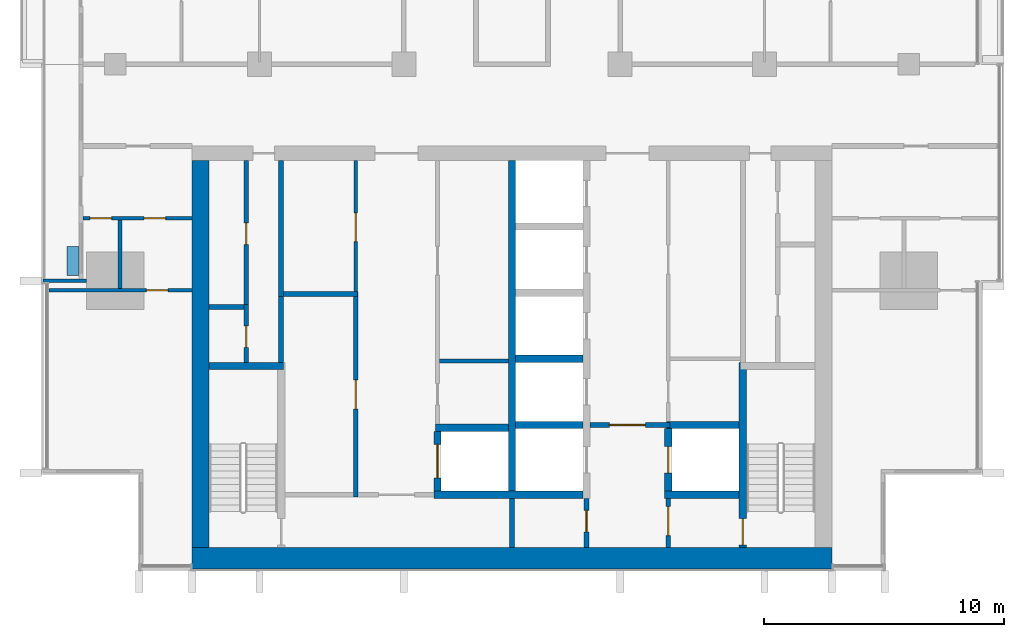
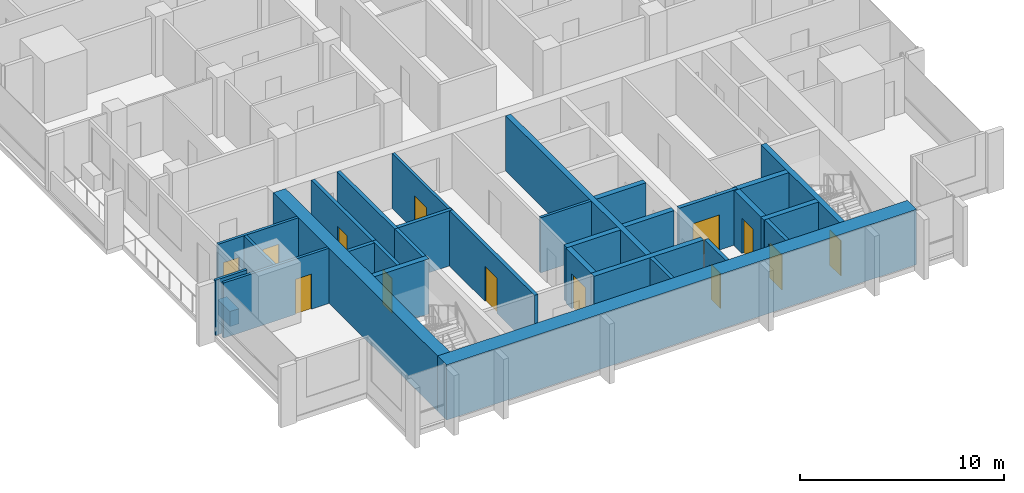
# One storey, part 7 of 17: 31 walls, 13 doors, 13 openings.
"""IFC4 building model written with IfcOpenShell, lengths in metres."""

from ifc_helpers import new_model, si_unit, direction, frame, frame_2d, origin, place, context, subcontext, project, spatial, rectangle, extrude, material, layer, layer_set, type_object, element, fill, save


model = new_model("IFC4")

# Units and contexts
model_context = context("Model", 3, precision=1e-05, world=origin(), true_north=direction((0.0, 1.0)))
body_context = subcontext(model_context, "Body", "Model", "MODEL_VIEW")
ifc_project = project(units=[si_unit("LENGTHUNIT", "METRE"), si_unit("AREAUNIT", "SQUARE_METRE"), si_unit("VOLUMEUNIT", "CUBIC_METRE"), si_unit("PLANEANGLEUNIT", "RADIAN"), si_unit("MASSUNIT", "GRAM", prefix="KILO")], contexts=[model_context])

# Site, building, storey
site_placement = place(None, origin())
site = spatial("IfcSite", under=ifc_project, at=site_placement, CompositionType="ELEMENT")
building_placement = place(site_placement, origin())
building = spatial("IfcBuilding", under=site, at=building_placement, Name="Finial Court Residences", CompositionType="ELEMENT")
storey_placement = place(building_placement, frame((0.0, 0.0, 174.5)))
storey = spatial("IfcBuildingStorey", under=building, at=storey_placement, Name="L43", CompositionType="ELEMENT", Elevation=174.5)

# Walls
ifc_material_1 = material(Name="Concrete C70/85", Category="concrete")
ifc_layer_1 = layer(ifc_material_1, 0.699951171875)
ifc_layer_set_1 = layer_set([ifc_layer_1], Name="Core outer wall 700 Concrete C70/85")
wall_type_1 = type_object("IfcWallType", Name="Core outer wall 700 Concrete C70/85", PredefinedType="SHEAR", material=ifc_layer_set_1)
wall_1_placement = place(storey_placement, frame((-12.949951171875, -24.60009765625, 0.0), z_axis=(0.0, 0.0, 1.0), x_axis=(0.0, 1.0, 0.0)))
element("IfcWall", 1, at=wall_1_placement, inside=storey, type_object=wall_type_1, Name="Core outer wall L43-03", PredefinedType="SHEAR", context=body_context, shape_type="SweptSolid", body=[
    extrude(rectangle(XDim=16.10009765625, YDim=0.699951171875, at=frame_2d((8.050048828125, 0.0))), origin(), (0.0, 0.0, 1.0), 3.300048828125),
])
ifc_material_2 = material(Name="Fire-rated gypsum board partition")
ifc_layer_2 = layer(ifc_material_2, 0.14990234375)
ifc_layer_set_2 = layer_set([ifc_layer_2], Name="Core room partition 150 EI 60")
wall_type_2 = type_object("IfcWallType", Name="Core room partition 150 EI 60", PredefinedType="PARTITIONING", material=ifc_layer_set_2)
wall_2_placement = place(storey_placement, frame((-3.02490234375, -16.840087890625, 0.0), z_axis=(0.0, 0.0, 1.0), x_axis=(1.0, 0.0, 0.0)))
element("IfcWall", 2, at=wall_2_placement, inside=storey, type_object=wall_type_2, Name="Core partition L43-11", PredefinedType="PARTITIONING", context=body_context, shape_type="SweptSolid", body=[
    extrude(rectangle(XDim=2.875, YDim=0.14990234375, at=frame_2d((1.4375, 0.0))), origin(), (0.0, 0.0, 1.0), 3.300048828125),
])

# Wall, opening, door
wall_3_placement = place(storey_placement, frame((-6.5, -13.9599609375, 0.0), z_axis=(0.0, 0.0, 1.0), x_axis=(0.0, 1.0, 0.0)))
wall_3 = element("IfcWall", 3, at=wall_3_placement, inside=storey, type_object=wall_type_2, Name="Core partition L43-25", PredefinedType="PARTITIONING", context=body_context, shape_type="SweptSolid", body=[
    extrude(rectangle(XDim=5.4599609375, YDim=0.14990234375, at=frame_2d((2.72998046875, 0.0))), origin(), (0.0, 0.0, 1.0), 3.300048828125),
])
opening_1_placement = place(wall_3_placement, frame((2.080078125, 0.0, 0.0)))
opening_1 = element("IfcOpeningElement", 4, at=opening_1_placement, cuts=wall_3, Name="Opening L43-C14", PredefinedType="OPENING", context=body_context, shape_type="SweptSolid", body=[
    extrude(rectangle(XDim=1.199951171875, YDim=2.10009765625, at=frame_2d((0.60009765625, 1.050048828125))), frame((0.0, 0.0849609375, 0.0), z_axis=(0.0, -1.0, 0.0), x_axis=(1.0, 0.0, 0.0)), (0.0, 0.0, 1.0), 0.169921875),
])
ifc_material_3 = material(Name="Steel fire door", Category="steel")
door_type_1 = type_object("IfcDoorType", Name="Core room door 1200 x 2100 EI 60", OperationType="NOTDEFINED", PredefinedType="DOOR", material=ifc_material_3)
door_1_placement = place(opening_1_placement, origin())
door_1 = element("IfcDoor", 5, at=door_1_placement, inside=storey, type_object=door_type_1, Name="Core room door L43-C14", OperationType="SINGLE_SWING_RIGHT", OverallHeight=2.10009765625, OverallWidth=1.199951171875, PredefinedType="DOOR", context=body_context, shape_type="SweptSolid", body=[
    extrude(rectangle(XDim=1.199951171875, YDim=2.10009765625, at=frame_2d((0.60009765625, 1.050048828125))), frame((0.0, 0.02490234375, 0.0), z_axis=(0.0, -1.0, 0.0), x_axis=(1.0, 0.0, 0.0)), (0.0, 0.0, 1.0), 0.050048828125),
])
fill(opening_1, door_1)

# Wall
ifc_layer_3 = layer(ifc_material_1, 0.89990234375)
ifc_layer_set_3 = layer_set([ifc_layer_3], Name="Core south facade wall 900 Concrete C70/85")
wall_type_3 = type_object("IfcWallType", Name="Core south facade wall 900 Concrete C70/85", PredefinedType="SHEAR", material=ifc_layer_set_3)
wall_4_placement = place(storey_placement, frame((-13.300048828125, -25.050048828125, 0.0), z_axis=(0.0, 0.0, 1.0), x_axis=(1.0, 0.0, 0.0)))
element("IfcWall", 6, at=wall_4_placement, inside=storey, type_object=wall_type_3, Name="Core outer wall L43-01", PredefinedType="SHEAR", context=body_context, shape_type="SweptSolid", body=[
    extrude(rectangle(XDim=26.60009765625, YDim=0.89990234375, at=frame_2d((13.300048828125, 0.0))), origin(), (0.0, 0.0, 1.0), 3.300048828125),
])

# Wall, opening, door
ifc_layer_4 = layer(ifc_material_2, 0.199951171875)
ifc_layer_set_4 = layer_set([ifc_layer_4], Name="Firefighting lobby wall 200 EI 120")
wall_type_4 = type_object("IfcWallType", Name="Firefighting lobby wall 200 EI 120", PredefinedType="PARTITIONING", material=ifc_layer_set_4)
wall_5_placement = place(storey_placement, frame((6.574951171875, -19.5, 0.0), z_axis=(0.0, 0.0, 1.0), x_axis=(-1.0, 0.0, 0.0)))
wall_5 = element("IfcWall", 7, at=wall_5_placement, inside=storey, type_object=wall_type_4, Name="Core partition L43-07", PredefinedType="PARTITIONING", context=body_context, shape_type="SweptSolid", body=[
    extrude(rectangle(XDim=3.324951171875, YDim=0.199951171875, at=frame_2d((1.66259765625, 0.0))), origin(), (0.0, 0.0, 1.0), 3.300048828125),
])
opening_2_placement = place(wall_5_placement, frame((1.02490234375, 0.0, 0.0)))
opening_2 = element("IfcOpeningElement", 8, at=opening_2_placement, cuts=wall_5, Name="Opening L43-C02", PredefinedType="OPENING", context=body_context, shape_type="SweptSolid", body=[
    extrude(rectangle(XDim=1.5, YDim=2.10009765625, at=frame_2d((0.75, 1.050048828125))), frame((0.0, 0.10986328125, 0.0), z_axis=(0.0, -1.0, 0.0), x_axis=(1.0, 0.0, 0.0)), (0.0, 0.0, 1.0), 0.219970703125),
])
door_type_2 = type_object("IfcDoorType", Name="Firefighting lobby door 1500 x 2100 EI 90", OperationType="DOUBLE_DOOR_SINGLE_SWING", PredefinedType="DOOR", material=ifc_material_3)
door_2_placement = place(opening_2_placement, origin())
door_2 = element("IfcDoor", 9, at=door_2_placement, inside=storey, type_object=door_type_2, Name="Firefighting lobby door L43-C02", OperationType="DOUBLE_DOOR_SINGLE_SWING", OverallHeight=2.10009765625, OverallWidth=1.5, PredefinedType="DOOR", context=body_context, shape_type="SweptSolid", body=[
    extrude(rectangle(XDim=1.5, YDim=2.10009765625, at=frame_2d((0.75, 1.050048828125))), frame((0.0, 0.02490234375, 0.0), z_axis=(0.0, -1.0, 0.0), x_axis=(1.0, 0.0, 0.0)), (0.0, 0.0, 1.0), 0.050048828125),
])
fill(opening_2, door_2)

wall_6_placement = place(storey_placement, frame((3.10009765625, -24.60009765625, 0.0), z_axis=(0.0, 0.0, 1.0), x_axis=(0.0, 1.0, 0.0)))
wall_6 = element("IfcWall", 10, at=wall_6_placement, inside=storey, type_object=wall_type_4, Name="Core partition L43-30", PredefinedType="PARTITIONING", context=body_context, shape_type="SweptSolid", body=[
    extrude(rectangle(XDim=2.050048828125, YDim=0.199951171875, at=frame_2d((1.02490234375, 0.0))), origin(), (0.0, 0.0, 1.0), 3.300048828125),
])
opening_3_placement = place(wall_6_placement, frame((0.64990234375, 0.0, 0.0)))
opening_3 = element("IfcOpeningElement", 11, at=opening_3_placement, cuts=wall_6, Name="Opening L43-C06", PredefinedType="OPENING", context=body_context, shape_type="SweptSolid", body=[
    extrude(rectangle(XDim=0.89990234375, YDim=2.10009765625, at=frame_2d((0.449951171875, 1.050048828125))), frame((0.0, 0.10986328125, 0.0), z_axis=(0.0, -1.0, 0.0), x_axis=(1.0, 0.0, 0.0)), (0.0, 0.0, 1.0), 0.219970703125),
])
door_type_3 = type_object("IfcDoorType", Name="Riser room door 900 x 2100 EI 90", OperationType="NOTDEFINED", PredefinedType="DOOR", material=ifc_material_3)
door_3_placement = place(opening_3_placement, origin())
door_3 = element("IfcDoor", 12, at=door_3_placement, inside=storey, type_object=door_type_3, Name="Riser room door L43-C06", OperationType="SINGLE_SWING_LEFT", OverallHeight=2.10009765625, OverallWidth=0.89990234375, PredefinedType="DOOR", context=body_context, shape_type="SweptSolid", body=[
    extrude(rectangle(XDim=0.89990234375, YDim=2.10009765625, at=frame_2d((0.449951171875, 1.050048828125))), frame((0.0, 0.02490234375, 0.0), z_axis=(0.0, -1.0, 0.0), x_axis=(1.0, 0.0, 0.0)), (0.0, 0.0, 1.0), 0.050048828125),
])
fill(opening_3, door_3)

wall_7_placement = place(storey_placement, frame((6.5, -22.550048828125, 0.0), z_axis=(0.0, 0.0, 1.0), x_axis=(0.0, -1.0, 0.0)))
wall_7 = element("IfcWall", 13, at=wall_7_placement, inside=storey, type_object=wall_type_4, Name="Core partition L43-32", PredefinedType="PARTITIONING", context=body_context, shape_type="SweptSolid", body=[
    extrude(rectangle(XDim=2.050048828125, YDim=0.199951171875, at=frame_2d((1.02490234375, 0.0))), origin(), (0.0, 0.0, 1.0), 3.300048828125),
])
opening_4_placement = place(wall_7_placement, frame((0.35009765625, 0.0, 0.0)))
opening_4 = element("IfcOpeningElement", 14, at=opening_4_placement, cuts=wall_7, Name="Opening L43-C01", PredefinedType="OPENING", context=body_context, shape_type="SweptSolid", body=[
    extrude(rectangle(XDim=1.199951171875, YDim=2.10009765625, at=frame_2d((0.60009765625, 1.050048828125))), frame((0.0, 0.10986328125, 0.0), z_axis=(0.0, -1.0, 0.0), x_axis=(1.0, 0.0, 0.0)), (0.0, 0.0, 1.0), 0.219970703125),
])
door_type_4 = type_object("IfcDoorType", Name="Firefighting lobby door 1200 x 2100 EI 90", OperationType="NOTDEFINED", PredefinedType="DOOR", material=ifc_material_3)
door_4_placement = place(opening_4_placement, origin())
door_4 = element("IfcDoor", 15, at=door_4_placement, inside=storey, type_object=door_type_4, Name="Firefighting lobby door L43-C01", OperationType="SINGLE_SWING_RIGHT", OverallHeight=2.10009765625, OverallWidth=1.199951171875, PredefinedType="DOOR", context=body_context, shape_type="SweptSolid", body=[
    extrude(rectangle(XDim=1.199951171875, YDim=2.10009765625, at=frame_2d((0.60009765625, 1.050048828125))), frame((0.0, 0.02490234375, 0.0), z_axis=(0.0, -1.0, 0.0), x_axis=(1.0, 0.0, 0.0)), (0.0, 0.0, 1.0), 0.050048828125),
])
fill(opening_4, door_4)

ifc_material_4 = material(Name="Moisture-resistant gypsum board")
ifc_layer_5 = layer(ifc_material_4, 0.012451171875)
ifc_material_5 = material(Name="Mineral wool in light-gauge frame")
ifc_layer_6 = layer(ifc_material_5, 0.125)
ifc_layer_7 = layer(ifc_material_4, 0.012451171875)
ifc_layer_set_5 = layer_set([ifc_layer_5, ifc_layer_6, ifc_layer_7], Name="Gypsum board wet-area partition 150")
wall_type_5 = type_object("IfcWallType", Name="Gypsum board wet-area partition 150", PredefinedType="PARTITIONING", material=ifc_layer_set_5)
wall_8_placement = place(storey_placement, frame((-19.262451171875, -13.89990234375, 0.0), z_axis=(0.0, 0.0, 1.0), x_axis=(1.0, 0.0, 0.0)))
wall_8 = element("IfcWall", 16, at=wall_8_placement, inside=storey, type_object=wall_type_5, Name="Partition L43-000", PredefinedType="PARTITIONING", context=body_context, shape_type="SweptSolid", body=[
    extrude(rectangle(XDim=5.96240234375, YDim=0.14990234375, at=frame_2d((2.981201171875, 0.0))), origin(), (0.0, 0.0, 1.0), 3.300048828125),
])
opening_5_placement = place(wall_8_placement, frame((4.06201171875, 0.0, 0.0)))
opening_5 = element("IfcOpeningElement", 17, at=opening_5_placement, cuts=wall_8, Name="Opening L43-D001", PredefinedType="OPENING", context=body_context, shape_type="SweptSolid", body=[
    extrude(rectangle(XDim=0.89990234375, YDim=2.10009765625, at=frame_2d((0.449951171875, 1.050048828125))), frame((0.0, 0.0849609375, 0.0), z_axis=(0.0, -1.0, 0.0), x_axis=(1.0, 0.0, 0.0)), (0.0, 0.0, 1.0), 0.169921875),
])
ifc_material_6 = material(Name="Timber door leaf in timber frame", Category="wood")
door_type_5 = type_object("IfcDoorType", Name="Door set 900 x 2100", OperationType="SINGLE_SWING_LEFT", PredefinedType="DOOR", material=ifc_material_6)
door_5_placement = place(opening_5_placement, origin())
door_5 = element("IfcDoor", 18, at=door_5_placement, inside=storey, type_object=door_type_5, Name="Door L43-D001", OperationType="SINGLE_SWING_RIGHT", OverallHeight=2.10009765625, OverallWidth=0.89990234375, PredefinedType="DOOR", context=body_context, shape_type="SweptSolid", body=[
    extrude(rectangle(XDim=0.89990234375, YDim=2.10009765625, at=frame_2d((0.449951171875, 1.050048828125))), frame((0.0, 0.02490234375, 0.0), z_axis=(0.0, -1.0, 0.0), x_axis=(1.0, 0.0, 0.0)), (0.0, 0.0, 1.0), 0.050048828125),
])
fill(opening_5, door_5)

# Wall, openings, doors
wall_9_placement = place(storey_placement, frame((-17.85009765625, -10.89990234375, 0.0), z_axis=(0.0, 0.0, 1.0), x_axis=(1.0, 0.0, 0.0)))
wall_9 = element("IfcWall", 19, at=wall_9_placement, inside=storey, type_object=wall_type_5, Name="Partition L43-002", PredefinedType="PARTITIONING", context=body_context, shape_type="SweptSolid", body=[
    extrude(rectangle(XDim=4.550048828125, YDim=0.14990234375, at=frame_2d((2.27490234375, 0.0))), origin(), (0.0, 0.0, 1.0), 3.300048828125),
])
opening_6_placement = place(wall_9_placement, frame((0.300048828125, 0.0, 0.0)))
opening_6 = element("IfcOpeningElement", 20, at=opening_6_placement, cuts=wall_9, Name="Opening L43-D003", PredefinedType="OPENING", context=body_context, shape_type="SweptSolid", body=[
    extrude(rectangle(XDim=0.89990234375, YDim=2.10009765625, at=frame_2d((0.449951171875, 1.050048828125))), frame((0.0, 0.0849609375, 0.0), z_axis=(0.0, -1.0, 0.0), x_axis=(1.0, 0.0, 0.0)), (0.0, 0.0, 1.0), 0.169921875),
])
opening_7_placement = place(wall_9_placement, frame((2.550048828125, 0.0, 0.0)))
opening_7 = element("IfcOpeningElement", 21, at=opening_7_placement, cuts=wall_9, Name="Opening L43-D004", PredefinedType="OPENING", context=body_context, shape_type="SweptSolid", body=[
    extrude(rectangle(XDim=0.89990234375, YDim=2.10009765625, at=frame_2d((0.449951171875, 1.050048828125))), frame((0.0, 0.0849609375, 0.0), z_axis=(0.0, -1.0, 0.0), x_axis=(1.0, 0.0, 0.0)), (0.0, 0.0, 1.0), 0.169921875),
])
door_6_placement = place(opening_6_placement, origin())
door_6 = element("IfcDoor", 22, at=door_6_placement, inside=storey, type_object=door_type_5, Name="Door L43-D003", OperationType="SINGLE_SWING_LEFT", OverallHeight=2.10009765625, OverallWidth=0.89990234375, PredefinedType="DOOR", context=body_context, shape_type="SweptSolid", body=[
    extrude(rectangle(XDim=0.89990234375, YDim=2.10009765625, at=frame_2d((0.449951171875, 1.050048828125))), frame((0.0, 0.02490234375, 0.0), z_axis=(0.0, -1.0, 0.0), x_axis=(1.0, 0.0, 0.0)), (0.0, 0.0, 1.0), 0.050048828125),
])
fill(opening_6, door_6)
door_7_placement = place(opening_7_placement, origin())
door_7 = element("IfcDoor", 23, at=door_7_placement, inside=storey, type_object=door_type_5, Name="Door L43-D004", OperationType="SINGLE_SWING_RIGHT", OverallHeight=2.10009765625, OverallWidth=0.89990234375, PredefinedType="DOOR", context=body_context, shape_type="SweptSolid", body=[
    extrude(rectangle(XDim=0.89990234375, YDim=2.10009765625, at=frame_2d((0.449951171875, 1.050048828125))), frame((0.0, 0.02490234375, 0.0), z_axis=(0.0, -1.0, 0.0), x_axis=(1.0, 0.0, 0.0)), (0.0, 0.0, 1.0), 0.050048828125),
])
fill(opening_7, door_7)

# Walls
wall_10_placement = place(storey_placement, frame((-16.300048828125, -13.824951171875, 0.0), z_axis=(0.0, 0.0, 1.0), x_axis=(0.0, 1.0, 0.0)))
element("IfcWall", 24, at=wall_10_placement, inside=storey, type_object=wall_type_5, Name="Partition L43-037", PredefinedType="PARTITIONING", context=body_context, shape_type="SweptSolid", body=[
    extrude(rectangle(XDim=2.849853515625, YDim=0.14990234375, at=frame_2d((1.4248046875, 0.0))), origin(), (0.0, 0.0, 1.0), 3.300048828125),
])
ifc_layer_8 = layer(ifc_material_1, 0.300048828125)
ifc_layer_set_6 = layer_set([ifc_layer_8], Name="Lift shaft and stair wall 300 Concrete C70/85")
wall_type_6 = type_object("IfcWallType", Name="Lift shaft and stair wall 300 Concrete C70/85", PredefinedType="SHEAR", material=ifc_layer_set_6)
wall_11_placement = place(storey_placement, frame((-3.25, -22.39990234375, 0.0), z_axis=(0.0, 0.0, 1.0), x_axis=(1.0, 0.0, 0.0)))
element("IfcWall", 25, at=wall_11_placement, inside=storey, type_object=wall_type_6, Name="Core wall L43-03", PredefinedType="SHEAR", context=body_context, shape_type="SweptSolid", body=[
    extrude(rectangle(XDim=6.199951171875, YDim=0.300048828125, at=frame_2d((3.10009765625, 0.0))), origin(), (0.0, 0.0, 1.0), 3.300048828125),
])
wall_12_placement = place(storey_placement, frame((6.35009765625, -22.39990234375, 0.0), z_axis=(0.0, 0.0, 1.0), x_axis=(1.0, 0.0, 0.0)))
element("IfcWall", 26, at=wall_12_placement, inside=storey, type_object=wall_type_6, Name="Core wall L43-04", PredefinedType="SHEAR", context=body_context, shape_type="SweptSolid", body=[
    extrude(rectangle(XDim=3.099853515625, YDim=0.300048828125, at=frame_2d((1.5498046875, 0.0))), origin(), (0.0, 0.0, 1.0), 3.300048828125),
])
wall_13_placement = place(storey_placement, frame((-3.175048828125, -19.6201171875, 0.0), z_axis=(0.0, 0.0, 1.0), x_axis=(1.0, 0.0, 0.0)))
element("IfcWall", 27, at=wall_13_placement, inside=storey, type_object=wall_type_6, Name="Core wall L43-05", PredefinedType="SHEAR", context=body_context, shape_type="SweptSolid", body=[
    extrude(rectangle(XDim=3.025146484375, YDim=0.300048828125, at=frame_2d((1.5126953125, 0.0))), origin(), (0.0, 0.0, 1.0), 3.300048828125),
])
wall_14_placement = place(storey_placement, frame((0.14990234375, -19.5, 0.0), z_axis=(0.0, 0.0, 1.0), x_axis=(1.0, 0.0, 0.0)))
element("IfcWall", 28, at=wall_14_placement, inside=storey, type_object=wall_type_6, Name="Core wall L43-06", PredefinedType="SHEAR", context=body_context, shape_type="SweptSolid", body=[
    extrude(rectangle(XDim=2.800048828125, YDim=0.300048828125, at=frame_2d((1.39990234375, 0.0))), origin(), (0.0, 0.0, 1.0), 3.300048828125),
])
wall_15_placement = place(storey_placement, frame((6.425048828125, -19.5, 0.0), z_axis=(0.0, 0.0, 1.0), x_axis=(1.0, 0.0, 0.0)))
element("IfcWall", 29, at=wall_15_placement, inside=storey, type_object=wall_type_6, Name="Core wall L43-08", PredefinedType="SHEAR", context=body_context, shape_type="SweptSolid", body=[
    extrude(rectangle(XDim=3.02490234375, YDim=0.300048828125, at=frame_2d((1.512451171875, 0.0))), origin(), (0.0, 0.0, 1.0), 3.300048828125),
])
wall_16_placement = place(storey_placement, frame((-12.60009765625, -17.050048828125, 0.0), z_axis=(0.0, 0.0, 1.0), x_axis=(1.0, 0.0, 0.0)))
element("IfcWall", 30, at=wall_16_placement, inside=storey, type_object=wall_type_6, Name="Core wall L43-09", PredefinedType="SHEAR", context=body_context, shape_type="SweptSolid", body=[
    extrude(rectangle(XDim=3.10009765625, YDim=0.300048828125, at=frame_2d((1.550048828125, 0.0))), origin(), (0.0, 0.0, 1.0), 3.300048828125),
])
wall_17_placement = place(storey_placement, frame((0.14990234375, -16.75, 0.0), z_axis=(0.0, 0.0, 1.0), x_axis=(1.0, 0.0, 0.0)))
element("IfcWall", 31, at=wall_17_placement, inside=storey, type_object=wall_type_6, Name="Core wall L43-12", PredefinedType="SHEAR", context=body_context, shape_type="SweptSolid", body=[
    extrude(rectangle(XDim=2.800048828125, YDim=0.300048828125, at=frame_2d((1.39990234375, 0.0))), origin(), (0.0, 0.0, 1.0), 3.300048828125),
])

# Wall, opening, door
wall_18_placement = place(storey_placement, frame((-3.10009765625, -22.25, 0.0), z_axis=(0.0, 0.0, 1.0), x_axis=(0.0, 1.0, 0.0)))
wall_18 = element("IfcWall", 32, at=wall_18_placement, inside=storey, type_object=wall_type_6, Name="Core wall L43-26", PredefinedType="SHEAR", context=body_context, shape_type="SweptSolid", body=[
    extrude(rectangle(XDim=2.47998046875, YDim=0.300048828125, at=frame_2d((1.239990234375, 0.0))), origin(), (0.0, 0.0, 1.0), 3.300048828125),
])
opening_8_placement = place(wall_18_placement, frame((0.5400390625, 0.0, 0.0)))
opening_8 = element("IfcOpeningElement", 33, at=opening_8_placement, cuts=wall_18, Name="Opening L43-LD07", PredefinedType="OPENING", context=body_context, shape_type="SweptSolid", body=[
    extrude(rectangle(XDim=1.39990234375, YDim=2.10009765625, at=frame_2d((0.699951171875, 1.050048828125))), frame((0.0, 0.159912109375, 0.0), z_axis=(0.0, -1.0, 0.0), x_axis=(1.0, 0.0, 0.0)), (0.0, 0.0, 1.0), 0.320068359375),
])
ifc_material_7 = material(Name="Stainless steel lift door", Category="steel")
door_type_6 = type_object("IfcDoorType", Name="Lift landing door 1400 x 2100 EI 90", OperationType="DOUBLE_DOOR_SLIDING", PredefinedType="DOOR", material=ifc_material_7)
door_8_placement = place(opening_8_placement, origin())
door_8 = element("IfcDoor", 34, at=door_8_placement, inside=storey, type_object=door_type_6, Name="Lift landing door SV1 L43", OperationType="DOUBLE_DOOR_SLIDING", OverallHeight=2.10009765625, OverallWidth=1.39990234375, PredefinedType="DOOR", context=body_context, shape_type="SweptSolid", body=[
    extrude(rectangle(XDim=1.39990234375, YDim=2.10009765625, at=frame_2d((0.699951171875, 1.050048828125))), frame((0.0, 0.02490234375, 0.0), z_axis=(0.0, -1.0, 0.0), x_axis=(1.0, 0.0, 0.0)), (0.0, 0.0, 1.0), 0.050048828125),
])
fill(opening_8, door_8)

# Wall
wall_19_placement = place(storey_placement, frame((0.0, -22.25, 0.0), z_axis=(0.0, 0.0, 1.0), x_axis=(0.0, 1.0, 0.0)))
element("IfcWall", 35, at=wall_19_placement, inside=storey, type_object=wall_type_6, Name="Core wall L43-29", PredefinedType="SHEAR", context=body_context, shape_type="SweptSolid", body=[
    extrude(rectangle(XDim=13.75, YDim=0.300048828125, at=frame_2d((6.875, 0.0))), origin(), (0.0, 0.0, 1.0), 3.300048828125),
])

# Wall, opening, door
wall_20_placement = place(storey_placement, frame((6.5, -22.25, 0.0), z_axis=(0.0, 0.0, 1.0), x_axis=(0.0, 1.0, 0.0)))
wall_20 = element("IfcWall", 36, at=wall_20_placement, inside=storey, type_object=wall_type_6, Name="Core wall L43-33", PredefinedType="SHEAR", context=body_context, shape_type="SweptSolid", body=[
    extrude(rectangle(XDim=2.60009765625, YDim=0.300048828125, at=frame_2d((1.300048828125, 0.0))), origin(), (0.0, 0.0, 1.0), 3.300048828125),
])
opening_9_placement = place(wall_20_placement, frame((0.75, 0.0, 0.0)))
opening_9 = element("IfcOpeningElement", 37, at=opening_9_placement, cuts=wall_20, Name="Opening L43-LD02", PredefinedType="OPENING", context=body_context, shape_type="SweptSolid", body=[
    extrude(rectangle(XDim=1.10009765625, YDim=2.10009765625, at=frame_2d((0.550048828125, 1.050048828125))), frame((0.0, 0.159912109375, 0.0), z_axis=(0.0, -1.0, 0.0), x_axis=(1.0, 0.0, 0.0)), (0.0, 0.0, 1.0), 0.320068359375),
])
door_type_7 = type_object("IfcDoorType", Name="Lift landing door 1100 x 2100 EI 90", OperationType="DOUBLE_DOOR_SLIDING", PredefinedType="DOOR", material=ifc_material_7)
door_9_placement = place(opening_9_placement, origin())
door_9 = element("IfcDoor", 38, at=door_9_placement, inside=storey, type_object=door_type_7, Name="Lift landing door FF2 L43", OperationType="DOUBLE_DOOR_SLIDING", OverallHeight=2.10009765625, OverallWidth=1.10009765625, PredefinedType="DOOR", context=body_context, shape_type="SweptSolid", body=[
    extrude(rectangle(XDim=1.10009765625, YDim=2.10009765625, at=frame_2d((0.550048828125, 1.050048828125))), frame((0.0, 0.02490234375, 0.0), z_axis=(0.0, -1.0, 0.0), x_axis=(1.0, 0.0, 0.0)), (0.0, 0.0, 1.0), 0.050048828125),
])
fill(opening_9, door_9)

wall_21_placement = place(storey_placement, frame((9.60009765625, -16.89990234375, 0.0), z_axis=(0.0, 0.0, 1.0), x_axis=(0.0, -1.0, 0.0)))
wall_21 = element("IfcWall", 39, at=wall_21_placement, inside=storey, type_object=wall_type_6, Name="Core wall L43-35", PredefinedType="SHEAR", context=body_context, shape_type="SweptSolid", body=[
    extrude(rectangle(XDim=7.7001953125, YDim=0.300048828125, at=frame_2d((3.85009765625, 0.0))), origin(), (0.0, 0.0, 1.0), 3.300048828125),
])
opening_10_placement = place(wall_21_placement, frame((6.5, 0.0, 0.0)))
opening_10 = element("IfcOpeningElement", 40, at=opening_10_placement, cuts=wall_21, Name="Opening L43-C20", PredefinedType="OPENING", context=body_context, shape_type="SweptSolid", body=[
    extrude(rectangle(XDim=1.10009765625, YDim=2.10009765625, at=frame_2d((0.550048828125, 1.050048828125))), frame((0.0, 0.159912109375, 0.0), z_axis=(0.0, -1.0, 0.0), x_axis=(1.0, 0.0, 0.0)), (0.0, 0.0, 1.0), 0.320068359375),
])
door_type_8 = type_object("IfcDoorType", Name="Stair door 1100 x 2100 EI 90", OperationType="NOTDEFINED", PredefinedType="DOOR", material=ifc_material_3)
door_10_placement = place(opening_10_placement, origin())
door_10 = element("IfcDoor", 41, at=door_10_placement, inside=storey, type_object=door_type_8, Name="Stair door L43-C20", OperationType="SINGLE_SWING_RIGHT", OverallHeight=2.10009765625, OverallWidth=1.10009765625, PredefinedType="DOOR", context=body_context, shape_type="SweptSolid", body=[
    extrude(rectangle(XDim=1.10009765625, YDim=2.10009765625, at=frame_2d((0.550048828125, 1.050048828125))), frame((0.0, 0.02490234375, 0.0), z_axis=(0.0, -1.0, 0.0), x_axis=(1.0, 0.0, 0.0)), (0.0, 0.0, 1.0), 0.050048828125),
])
fill(opening_10, door_10)

# Walls
ifc_material_8 = material(Name="Natural limestone", Category="masonry")
ifc_layer_9 = layer(ifc_material_8, 0.14990234375)
ifc_layer_set_7 = layer_set([ifc_layer_9], Name="Limestone clad wall 150")
wall_type_7 = type_object("IfcWallType", Name="Limestone clad wall 150", PredefinedType="SOLIDWALL", material=ifc_layer_set_7)
wall_22_placement = place(storey_placement, frame((-17.699951171875, -13.5, 0.0), z_axis=(0.0, 0.0, 1.0), x_axis=(-1.0, 0.0, 0.0)))
element("IfcWall", 42, at=wall_22_placement, inside=storey, type_object=wall_type_7, Name="E-L43-BALW2-P1", PredefinedType="SOLIDWALL", context=body_context, shape_type="SweptSolid", body=[
    extrude(rectangle(XDim=1.800048828125, YDim=0.14990234375, at=frame_2d((0.89990234375, 0.0))), origin(), (0.0, 0.0, 1.0), 3.300048828125),
])
ifc_material_9 = material(Name="Concrete C40/50", Category="concrete")
ifc_layer_10 = layer(ifc_material_9, 0.10009765625)
ifc_material_10 = material(Name="Planting soil", Category="soil")
ifc_layer_11 = layer(ifc_material_10, 0.300048828125)
ifc_layer_12 = layer(ifc_material_9, 0.10009765625)
ifc_layer_set_8 = layer_set([ifc_layer_10, ifc_layer_11, ifc_layer_12], Name="Planter wall, balcony")
wall_type_8 = type_object("IfcWallType", Name="Planter wall, balcony", PredefinedType="USERDEFINED", material=ifc_layer_set_8)
wall_23_placement = place(storey_placement, frame((-18.25, -13.27490234375, 0.0), z_axis=(0.0, 0.0, 1.0), x_axis=(0.0, 1.0, 0.0)))
element("IfcWall", 43, at=wall_23_placement, inside=storey, type_object=wall_type_8, Name="E-L43-BALW2-PL", ObjectType="PLANTER", PredefinedType="USERDEFINED", context=body_context, shape_type="SweptSolid", body=[
    extrude(rectangle(XDim=1.199951171875, YDim=0.5, at=frame_2d((0.60009765625, 0.0))), origin(), (0.0, 0.0, 1.0), 0.89990234375),
])
ifc_layer_13 = layer(ifc_material_2, 0.199951171875)
ifc_layer_set_9 = layer_set([ifc_layer_13], Name="Riser room wall 200 EI 120")
wall_type_9 = type_object("IfcWallType", Name="Riser room wall 200 EI 120", PredefinedType="PARTITIONING", material=ifc_layer_set_9)
wall_24_placement = place(storey_placement, frame((-12.60009765625, -14.60009765625, 0.0), z_axis=(0.0, 0.0, 1.0), x_axis=(1.0, 0.0, 0.0)))
element("IfcWall", 44, at=wall_24_placement, inside=storey, type_object=wall_type_9, Name="Core partition L43-14", PredefinedType="PARTITIONING", context=body_context, shape_type="SweptSolid", body=[
    extrude(rectangle(XDim=1.4501953125, YDim=0.199951171875, at=frame_2d((0.72509765625, 0.0))), origin(), (0.0, 0.0, 1.0), 3.300048828125),
])
wall_25_placement = place(storey_placement, frame((-9.5, -14.06005859375, 0.0), z_axis=(0.0, 0.0, 1.0), x_axis=(1.0, 0.0, 0.0)))
element("IfcWall", 45, at=wall_25_placement, inside=storey, type_object=wall_type_9, Name="Core partition L43-15", PredefinedType="PARTITIONING", context=body_context, shape_type="SweptSolid", body=[
    extrude(rectangle(XDim=3.074951171875, YDim=0.199951171875, at=frame_2d((1.53759765625, 0.0))), origin(), (0.0, 0.0, 1.0), 3.300048828125),
])

# Wall, opening, door
wall_26_placement = place(storey_placement, frame((-11.050048828125, -14.699951171875, 0.0), z_axis=(0.0, 0.0, 1.0), x_axis=(0.0, 1.0, 0.0)))
wall_26 = element("IfcWall", 46, at=wall_26_placement, inside=storey, type_object=wall_type_9, Name="Core partition L43-20", PredefinedType="PARTITIONING", context=body_context, shape_type="SweptSolid", body=[
    extrude(rectangle(XDim=6.199951171875, YDim=0.199951171875, at=frame_2d((3.10009765625, 0.0))), origin(), (0.0, 0.0, 1.0), 3.300048828125),
])
opening_11_placement = place(wall_26_placement, frame((2.699951171875, 0.0, 0.0)))
opening_11 = element("IfcOpeningElement", 47, at=opening_11_placement, cuts=wall_26, Name="Opening L43-C07", PredefinedType="OPENING", context=body_context, shape_type="SweptSolid", body=[
    extrude(rectangle(XDim=0.89990234375, YDim=2.10009765625, at=frame_2d((0.449951171875, 1.050048828125))), frame((0.0, 0.10986328125, 0.0), z_axis=(0.0, -1.0, 0.0), x_axis=(1.0, 0.0, 0.0)), (0.0, 0.0, 1.0), 0.219970703125),
])
door_11_placement = place(opening_11_placement, origin())
door_11 = element("IfcDoor", 48, at=door_11_placement, inside=storey, type_object=door_type_3, Name="Riser room door L43-C07", OperationType="SINGLE_SWING_LEFT", OverallHeight=2.10009765625, OverallWidth=0.89990234375, PredefinedType="DOOR", context=body_context, shape_type="SweptSolid", body=[
    extrude(rectangle(XDim=0.89990234375, YDim=2.10009765625, at=frame_2d((0.449951171875, 1.050048828125))), frame((0.0, 0.02490234375, 0.0), z_axis=(0.0, -1.0, 0.0), x_axis=(1.0, 0.0, 0.0)), (0.0, 0.0, 1.0), 0.050048828125),
])
fill(opening_11, door_11)

# Wall
wall_27_placement = place(storey_placement, frame((-9.60009765625, -16.89990234375, 0.0), z_axis=(0.0, 0.0, 1.0), x_axis=(0.0, 1.0, 0.0)))
element("IfcWall", 49, at=wall_27_placement, inside=storey, type_object=wall_type_9, Name="Core partition L43-22", PredefinedType="PARTITIONING", context=body_context, shape_type="SweptSolid", body=[
    extrude(rectangle(XDim=2.739990234375, YDim=0.199951171875, at=frame_2d((1.3701171875, 0.0))), origin(), (0.0, 0.0, 1.0), 3.300048828125),
])

# Wall, opening, door
wall_28_placement = place(storey_placement, frame((-6.5, -22.5, 0.0), z_axis=(0.0, 0.0, 1.0), x_axis=(0.0, 1.0, 0.0)))
wall_28 = element("IfcWall", 50, at=wall_28_placement, inside=storey, type_object=wall_type_9, Name="Core partition L43-24", PredefinedType="PARTITIONING", context=body_context, shape_type="SweptSolid", body=[
    extrude(rectangle(XDim=8.5400390625, YDim=0.199951171875, at=frame_2d((4.27001953125, 0.0))), origin(), (0.0, 0.0, 1.0), 3.300048828125),
])
opening_12_placement = place(wall_28_placement, frame((3.669921875, 0.0, 0.0)))
opening_12 = element("IfcOpeningElement", 51, at=opening_12_placement, cuts=wall_28, Name="Opening L43-C09", PredefinedType="OPENING", context=body_context, shape_type="SweptSolid", body=[
    extrude(rectangle(XDim=1.199951171875, YDim=2.10009765625, at=frame_2d((0.60009765625, 1.050048828125))), frame((0.0, 0.10986328125, 0.0), z_axis=(0.0, -1.0, 0.0), x_axis=(1.0, 0.0, 0.0)), (0.0, 0.0, 1.0), 0.219970703125),
])
door_type_9 = type_object("IfcDoorType", Name="Riser room door 1200 x 2100 EI 90", OperationType="NOTDEFINED", PredefinedType="DOOR", material=ifc_material_3)
door_12_placement = place(opening_12_placement, origin())
door_12 = element("IfcDoor", 52, at=door_12_placement, inside=storey, type_object=door_type_9, Name="Riser room door L43-C09", OperationType="SINGLE_SWING_LEFT", OverallHeight=2.10009765625, OverallWidth=1.199951171875, PredefinedType="DOOR", context=body_context, shape_type="SweptSolid", body=[
    extrude(rectangle(XDim=1.199951171875, YDim=2.10009765625, at=frame_2d((0.60009765625, 1.050048828125))), frame((0.0, 0.02490234375, 0.0), z_axis=(0.0, -1.0, 0.0), x_axis=(1.0, 0.0, 0.0)), (0.0, 0.0, 1.0), 0.050048828125),
])
fill(opening_12, door_12)

# Wall
wall_29_placement = place(storey_placement, frame((0.0, -24.60009765625, 0.0), z_axis=(0.0, 0.0, 1.0), x_axis=(0.0, 1.0, 0.0)))
element("IfcWall", 53, at=wall_29_placement, inside=storey, type_object=wall_type_9, Name="Core partition L43-28", PredefinedType="PARTITIONING", context=body_context, shape_type="SweptSolid", body=[
    extrude(rectangle(XDim=2.050048828125, YDim=0.199951171875, at=frame_2d((1.02490234375, 0.0))), origin(), (0.0, 0.0, 1.0), 3.300048828125),
])

# Wall, opening, door
ifc_layer_14 = layer(ifc_material_2, 0.199951171875)
ifc_layer_set_10 = layer_set([ifc_layer_14], Name="Stair passage wall 200 EI 180")
wall_type_10 = type_object("IfcWallType", Name="Stair passage wall 200 EI 180", PredefinedType="PARTITIONING", material=ifc_layer_set_10)
wall_30_placement = place(storey_placement, frame((-11.050048828125, -16.89990234375, 0.0), z_axis=(0.0, 0.0, 1.0), x_axis=(0.0, 1.0, 0.0)))
wall_30 = element("IfcWall", 54, at=wall_30_placement, inside=storey, type_object=wall_type_10, Name="Core partition L43-19", PredefinedType="PARTITIONING", context=body_context, shape_type="SweptSolid", body=[
    extrude(rectangle(XDim=2.39990234375, YDim=0.199951171875, at=frame_2d((1.199951171875, 0.0))), origin(), (0.0, 0.0, 1.0), 3.300048828125),
])
opening_13_placement = place(wall_30_placement, frame((0.625, 0.0, 0.0)))
opening_13 = element("IfcOpeningElement", 55, at=opening_13_placement, cuts=wall_30, Name="Opening L43-C12", PredefinedType="OPENING", context=body_context, shape_type="SweptSolid", body=[
    extrude(rectangle(XDim=0.89990234375, YDim=2.10009765625, at=frame_2d((0.449951171875, 1.050048828125))), frame((0.0, 0.10986328125, 0.0), z_axis=(0.0, -1.0, 0.0), x_axis=(1.0, 0.0, 0.0)), (0.0, 0.0, 1.0), 0.219970703125),
])
door_type_10 = type_object("IfcDoorType", Name="Core room door 900 x 2100 EI 60", OperationType="NOTDEFINED", PredefinedType="DOOR", material=ifc_material_3)
door_13_placement = place(opening_13_placement, origin())
door_13 = element("IfcDoor", 56, at=door_13_placement, inside=storey, type_object=door_type_10, Name="Core room door L43-C12", OperationType="SINGLE_SWING_RIGHT", OverallHeight=2.10009765625, OverallWidth=0.89990234375, PredefinedType="DOOR", context=body_context, shape_type="SweptSolid", body=[
    extrude(rectangle(XDim=0.89990234375, YDim=2.10009765625, at=frame_2d((0.449951171875, 1.050048828125))), frame((0.0, 0.02490234375, 0.0), z_axis=(0.0, -1.0, 0.0), x_axis=(1.0, 0.0, 0.0)), (0.0, 0.0, 1.0), 0.050048828125),
])
fill(opening_13, door_13)

# Wall
wall_31_placement = place(storey_placement, frame((-9.60009765625, -14.159912109375, 0.0), z_axis=(0.0, 0.0, 1.0), x_axis=(0.0, 1.0, 0.0)))
element("IfcWall", 57, at=wall_31_placement, inside=storey, type_object=wall_type_10, Name="Core partition L43-23", PredefinedType="PARTITIONING", context=body_context, shape_type="SweptSolid", body=[
    extrude(rectangle(XDim=5.659912109375, YDim=0.199951171875, at=frame_2d((2.830078125, 0.0))), origin(), (0.0, 0.0, 1.0), 3.300048828125),
])

save(model, "model.ifc")
